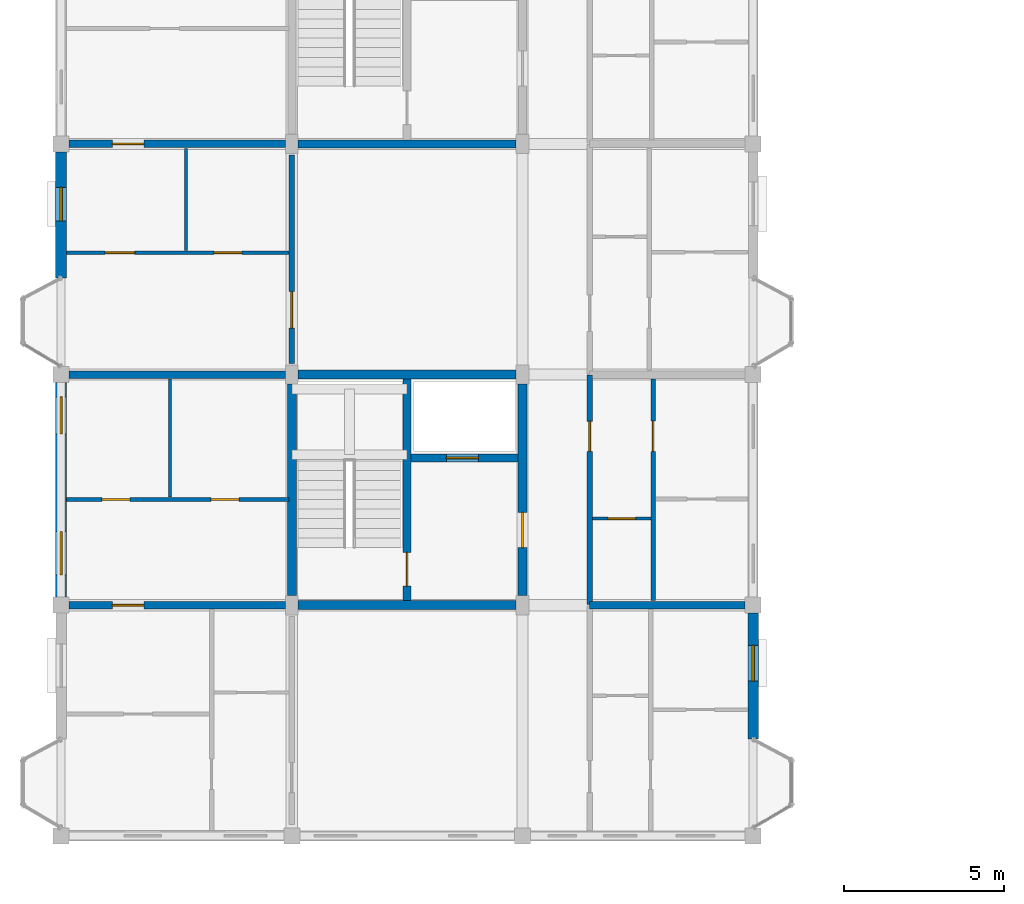
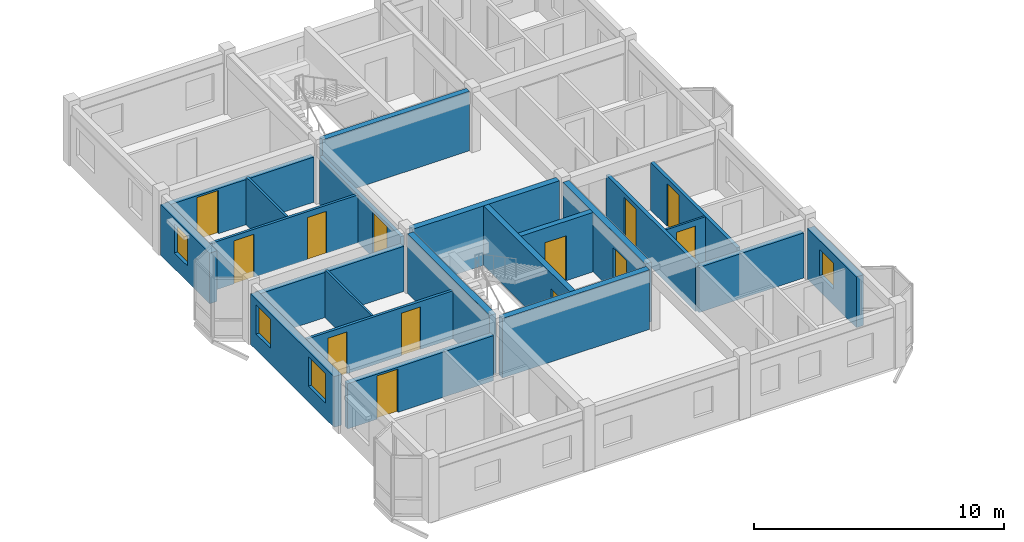
# One storey, part 51 of 70: 22 walls, 13 doors, 4 windows, 17 openings.
"""IFC4 building model written with IfcOpenShell, lengths in metres."""

from ifc_helpers import new_model, si_unit, direction, frame, frame_2d, origin, place, context, subcontext, project, spatial, rectangle, extrude, material, layer, layer_set, type_object, element, fill, save


model = new_model("IFC4")

# Units and contexts
model_context = context("Model", 3, precision=1e-05, world=origin(), true_north=direction((0.0, 1.0)))
body_context = subcontext(model_context, "Body", "Model", "MODEL_VIEW")
ifc_project = project(units=[si_unit("LENGTHUNIT", "METRE"), si_unit("AREAUNIT", "SQUARE_METRE"), si_unit("VOLUMEUNIT", "CUBIC_METRE"), si_unit("PLANEANGLEUNIT", "RADIAN"), si_unit("MASSUNIT", "GRAM", prefix="KILO"), si_unit("THERMODYNAMICTEMPERATUREUNIT", "KELVIN"), si_unit("POWERUNIT", "WATT")], contexts=[model_context])

# Site, building, storey
site_placement = place(None, origin())
site = spatial("IfcSite", under=ifc_project, at=site_placement, CompositionType="ELEMENT")
building_placement = place(site_placement, origin())
building = spatial("IfcBuilding", under=site, at=building_placement, Name="Tavuni Mirador Residences", CompositionType="ELEMENT")
storey_placement = place(building_placement, frame((0.0, 0.0, 23.39990234375)))
storey = spatial("IfcBuildingStorey", under=building, at=storey_placement, Name="L07", CompositionType="ELEMENT", Elevation=23.39990234375)

# Wall, opening, door
ifc_material_1 = material(Name="Precast concrete C40/50", Category="concrete")
ifc_layer_1 = layer(ifc_material_1, 0.25, Name="Precast concrete C40/50", Category="concrete")
ifc_layer_set_1 = layer_set([ifc_layer_1], Name="Precast concrete C40/50")
wall_type_1 = type_object("IfcWallType", Name="WT-COR250", PredefinedType="SHEAR", material=ifc_layer_set_1)
wall_1_placement = place(storey_placement, frame((14.39990234375, 72.139892578125, 0.0), z_axis=(0.0, 0.0, 1.0), x_axis=(0.0, 1.0, 0.0)))
wall_1 = element("IfcWall", 1, at=wall_1_placement, inside=storey, type_object=wall_type_1, Name="CWALL-C3-L07-MID", PredefinedType="SHEAR", context=body_context, shape_type="SweptSolid", body=[
    extrude(rectangle(XDim=6.920166015625, YDim=0.25, at=frame_2d((3.4599609375, 0.0))), origin(), (0.0, 0.0, 1.0), 2.91015625),
])
opening_1_placement = place(wall_1_placement, frame((0.4599609375, 0.0, 0.0)))
opening_1 = element("IfcOpeningElement", 2, at=opening_1_placement, cuts=wall_1, Name="Opening D-01", PredefinedType="OPENING", context=body_context, shape_type="SweptSolid", body=[
    extrude(rectangle(XDim=1.050048828125, YDim=2.14990234375, at=frame_2d((0.52490234375, 1.074951171875))), frame((0.0, 0.135009765625, 0.0), z_axis=(0.0, -1.0, 0.0), x_axis=(1.0, 0.0, 0.0)), (0.0, 0.0, 1.0), 0.27001953125),
])
ifc_material_2 = material(Name="Solid core iroko timber", Category="wood")
door_type_1 = type_object("IfcDoorType", Name="DT-ST1050", OperationType="NOTDEFINED", PredefinedType="DOOR", material=ifc_material_2)
door_1_placement = place(opening_1_placement, origin())
door_1 = element("IfcDoor", 3, at=door_1_placement, inside=storey, type_object=door_type_1, Name="DR-2134", OperationType="SINGLE_SWING_RIGHT", OverallHeight=2.14990234375, OverallWidth=1.050048828125, PredefinedType="DOOR", context=body_context, shape_type="SweptSolid", body=[
    extrude(rectangle(XDim=1.050048828125, YDim=2.14990234375, at=frame_2d((0.52490234375, 1.074951171875))), frame((0.0, 0.02490234375, 0.0), z_axis=(0.0, -1.0, 0.0), x_axis=(1.0, 0.0, 0.0)), (0.0, 0.0, 1.0), 0.050048828125),
])
fill(opening_1, door_1)

wall_2_placement = place(storey_placement, frame((14.52490234375, 76.60009765625, 0.0), z_axis=(0.0, 0.0, 1.0), x_axis=(1.0, 0.0, 0.0)))
wall_2 = element("IfcWall", 4, at=wall_2_placement, inside=storey, type_object=wall_type_1, Name="CWALL-C3-L07-SHF", PredefinedType="SHEAR", context=body_context, shape_type="SweptSolid", body=[
    extrude(rectangle(XDim=3.335205078125, YDim=0.25, at=frame_2d((1.66748046875, 0.0))), origin(), (0.0, 0.0, 1.0), 2.91015625),
])
opening_2_placement = place(wall_2_placement, frame((1.10009765625, 0.0, 0.0)))
opening_2 = element("IfcOpeningElement", 5, at=opening_2_placement, cuts=wall_2, Name="Opening LD-02", PredefinedType="OPENING", context=body_context, shape_type="SweptSolid", body=[
    extrude(rectangle(XDim=1.0, YDim=2.199951171875, at=frame_2d((0.5, 1.10009765625))), frame((0.0, 0.135009765625, 0.0), z_axis=(0.0, -1.0, 0.0), x_axis=(1.0, 0.0, 0.0)), (0.0, 0.0, 1.0), 0.27001953125),
])
ifc_material_3 = material(Name="Structural steel S355", Category="steel")
door_type_2 = type_object("IfcDoorType", Name="DT-LD-PAX", OperationType="SLIDING_TO_LEFT", PredefinedType="DOOR", material=ifc_material_3)
door_2_placement = place(opening_2_placement, origin())
door_2 = element("IfcDoor", 6, at=door_2_placement, inside=storey, type_object=door_type_2, Name="Lift landing door PL-B1 L07", OperationType="SLIDING_TO_LEFT", OverallHeight=2.199951171875, OverallWidth=1.0, PredefinedType="DOOR", context=body_context, shape_type="SweptSolid", body=[
    extrude(rectangle(XDim=1.0, YDim=2.199951171875, at=frame_2d((0.5, 1.10009765625))), frame((0.0, 0.02490234375, 0.0), z_axis=(0.0, -1.0, 0.0), x_axis=(1.0, 0.0, 0.0)), (0.0, 0.0, 1.0), 0.050048828125),
])
fill(opening_2, door_2)

# Walls
wall_3_placement = place(storey_placement, frame((11.0, 86.39990234375, 0.0), z_axis=(0.0, 0.0, 1.0), x_axis=(1.0, 0.0, 0.0)))
element("IfcWall", 7, at=wall_3_placement, inside=storey, type_object=wall_type_1, Name="CWALL-C4-L07-SS", PredefinedType="SHEAR", context=body_context, shape_type="SweptSolid", body=[
    extrude(rectangle(XDim=6.800048828125, YDim=0.25, at=frame_2d((3.39990234375, 0.0))), origin(), (0.0, 0.0, 1.0), 2.91015625),
])
ifc_layer_2 = layer(ifc_material_1, 0.280029296875, Name="Precast concrete C40/50", Category="concrete")
ifc_layer_set_2 = layer_set([ifc_layer_2], Name="Precast concrete C40/50")
wall_type_2 = type_object("IfcWallType", Name="WT-COR280", PredefinedType="SHEAR", material=ifc_layer_set_2)
wall_4_placement = place(storey_placement, frame((10.800048828125, 72.300048828125, 0.0), z_axis=(0.0, 0.0, 1.0), x_axis=(0.0, 1.0, 0.0)))
element("IfcWall", 8, at=wall_4_placement, inside=storey, type_object=wall_type_2, Name="CWALL-C3-L07-W", PredefinedType="SHEAR", context=body_context, shape_type="SweptSolid", body=[
    extrude(rectangle(XDim=6.599853515625, YDim=0.280029296875, at=frame_2d((3.2998046875, 0.0))), origin(), (0.0, 0.0, 1.0), 2.91015625),
])
wall_5_placement = place(storey_placement, frame((11.0, 79.199951171875, 0.0), z_axis=(0.0, 0.0, 1.0), x_axis=(1.0, 0.0, 0.0)))
element("IfcWall", 9, at=wall_5_placement, inside=storey, type_object=wall_type_2, Name="CWALL-C3-L07-N", PredefinedType="SHEAR", context=body_context, shape_type="SweptSolid", body=[
    extrude(rectangle(XDim=6.800048828125, YDim=0.280029296875, at=frame_2d((3.39990234375, 0.0))), origin(), (0.0, 0.0, 1.0), 2.91015625),
])

# Wall, opening, door
wall_6_placement = place(storey_placement, frame((18.0, 72.300048828125, 0.0), z_axis=(0.0, 0.0, 1.0), x_axis=(0.0, 1.0, 0.0)))
wall_6 = element("IfcWall", 10, at=wall_6_placement, inside=storey, type_object=wall_type_2, Name="CWALL-C3-L07-E", PredefinedType="SHEAR", context=body_context, shape_type="SweptSolid", body=[
    extrude(rectangle(XDim=6.599853515625, YDim=0.280029296875, at=frame_2d((3.2998046875, 0.0))), origin(), (0.0, 0.0, 1.0), 2.91015625),
])
opening_3_placement = place(wall_6_placement, frame((1.5, 0.0, 0.0)))
opening_3 = element("IfcOpeningElement", 11, at=opening_3_placement, cuts=wall_6, Name="Opening D-02", PredefinedType="OPENING", context=body_context, shape_type="SweptSolid", body=[
    extrude(rectangle(XDim=1.10009765625, YDim=2.14990234375, at=frame_2d((0.550048828125, 1.074951171875))), frame((0.0, 0.14990234375, 0.0), z_axis=(0.0, -1.0, 0.0), x_axis=(1.0, 0.0, 0.0)), (0.0, 0.0, 1.0), 0.300048828125),
])
door_type_3 = type_object("IfcDoorType", Name="DT-LOB1100", OperationType="NOTDEFINED", PredefinedType="DOOR", material=ifc_material_2)
door_3_placement = place(opening_3_placement, frame((1.10009765625, 0.0, 0.0), z_axis=(0.0, 0.0, 1.0), x_axis=(-1.0, 0.0, 0.0)))
door_3 = element("IfcDoor", 12, at=door_3_placement, inside=storey, type_object=door_type_3, Name="DR-2133", OperationType="SINGLE_SWING_RIGHT", OverallHeight=2.14990234375, OverallWidth=1.10009765625, PredefinedType="DOOR", context=body_context, shape_type="SweptSolid", body=[
    extrude(rectangle(XDim=1.10009765625, YDim=2.14990234375, at=frame_2d((0.550048828125, 1.074951171875))), frame((0.0, 0.02490234375, 0.0), z_axis=(0.0, -1.0, 0.0), x_axis=(1.0, 0.0, 0.0)), (0.0, 0.0, 1.0), 0.050048828125),
])
fill(opening_3, door_3)

# Wall
wall_7_placement = place(storey_placement, frame((11.0, 72.0, 0.0), z_axis=(0.0, 0.0, 1.0), x_axis=(1.0, 0.0, 0.0)))
element("IfcWall", 13, at=wall_7_placement, inside=storey, type_object=wall_type_2, Name="CWALL-C3-L07-SS", PredefinedType="SHEAR", context=body_context, shape_type="SweptSolid", body=[
    extrude(rectangle(XDim=6.800048828125, YDim=0.280029296875, at=frame_2d((3.39990234375, 0.0))), origin(), (0.0, 0.0, 1.0), 2.91015625),
])

# Wall, opening, door
ifc_layer_3 = layer(ifc_material_1, 0.1650390625, Name="Precast concrete C40/50", Category="concrete")
ifc_layer_set_3 = layer_set([ifc_layer_3], Name="Precast concrete C40/50")
wall_type_3 = type_object("IfcWallType", Name="WT-CORR165", PredefinedType="PARTITIONING", material=ifc_layer_set_3)
wall_8_placement = place(storey_placement, frame((20.10009765625, 72.02001953125, 0.0), z_axis=(0.0, 0.0, 1.0), x_axis=(0.0, 1.0, 0.0)))
wall_8 = element("IfcWall", 14, at=wall_8_placement, inside=storey, type_object=wall_type_3, Name="CORW-BLK-B-L07-0-01", PredefinedType="PARTITIONING", context=body_context, shape_type="SweptSolid", body=[
    extrude(rectangle(XDim=7.159912109375, YDim=0.1650390625, at=frame_2d((3.580078125, 0.0))), origin(), (0.0, 0.0, 1.0), 2.34521484375),
])
opening_4_placement = place(wall_8_placement, frame((4.780029296875, 0.0, 0.0)))
opening_4 = element("IfcOpeningElement", 15, at=opening_4_placement, cuts=wall_8, Name="Opening D-19", PredefinedType="OPENING", context=body_context, shape_type="SweptSolid", body=[
    extrude(rectangle(XDim=0.93994140625, YDim=2.1201171875, at=frame_2d((0.469970703125, 1.06005859375))), frame((0.0, 0.092529296875, 0.0), z_axis=(0.0, -1.0, 0.0), x_axis=(1.0, 0.0, 0.0)), (0.0, 0.0, 1.0), 0.18505859375),
])
door_type_4 = type_object("IfcDoorType", Name="DT-FD60-940", OperationType="NOTDEFINED", PredefinedType="DOOR", material=ifc_material_2)
door_4_placement = place(opening_4_placement, origin())
door_4 = element("IfcDoor", 16, at=door_4_placement, inside=storey, type_object=door_type_4, Name="DR-2584", OperationType="SINGLE_SWING_LEFT", OverallHeight=2.1201171875, OverallWidth=0.93994140625, PredefinedType="DOOR", context=body_context, shape_type="SweptSolid", body=[
    extrude(rectangle(XDim=0.93994140625, YDim=2.1201171875, at=frame_2d((0.469970703125, 1.06005859375))), frame((0.0, 0.02490234375, 0.0), z_axis=(0.0, -1.0, 0.0), x_axis=(1.0, 0.0, 0.0)), (0.0, 0.0, 1.0), 0.050048828125),
])
fill(opening_4, door_4)

wall_9_placement = place(storey_placement, frame((10.800048828125, 79.550048828125, 0.0), z_axis=(0.0, 0.0, 1.0), x_axis=(0.0, 1.0, 0.0)))
wall_9 = element("IfcWall", 17, at=wall_9_placement, inside=storey, type_object=wall_type_3, Name="CORW-BLK-B-L07-1-02", PredefinedType="PARTITIONING", context=body_context, shape_type="SweptSolid", body=[
    extrude(rectangle(XDim=6.5, YDim=0.1650390625, at=frame_2d((3.25, 0.0))), origin(), (0.0, 0.0, 1.0), 2.34521484375),
])
opening_5_placement = place(wall_9_placement, frame((1.10009765625, 0.0, 0.0)))
opening_5 = element("IfcOpeningElement", 18, at=opening_5_placement, cuts=wall_9, Name="Opening D-20", PredefinedType="OPENING", context=body_context, shape_type="SweptSolid", body=[
    extrude(rectangle(XDim=1.139892578125, YDim=2.179931640625, at=frame_2d((0.56982421875, 1.08984375))), frame((0.0, 0.092529296875, 0.0), z_axis=(0.0, -1.0, 0.0), x_axis=(1.0, 0.0, 0.0)), (0.0, 0.0, 1.0), 0.18505859375),
])
door_type_5 = type_object("IfcDoorType", Name="DT-FD60-1140", OperationType="NOTDEFINED", PredefinedType="DOOR", material=ifc_material_2)
door_5_placement = place(opening_5_placement, origin())
door_5 = element("IfcDoor", 19, at=door_5_placement, inside=storey, type_object=door_type_5, Name="DR-2588", OperationType="SINGLE_SWING_LEFT", OverallHeight=2.179931640625, OverallWidth=1.139892578125, PredefinedType="DOOR", context=body_context, shape_type="SweptSolid", body=[
    extrude(rectangle(XDim=1.139892578125, YDim=2.179931640625, at=frame_2d((0.56982421875, 1.08984375))), frame((0.0, 0.02490234375, 0.0), z_axis=(0.0, -1.0, 0.0), x_axis=(1.0, 0.0, 0.0)), (0.0, 0.0, 1.0), 0.050048828125),
])
fill(opening_5, door_5)

# Wall, opening, window
ifc_layer_4 = layer(ifc_material_1, 0.330078125, Name="Precast concrete C40/50", Category="concrete")
ifc_layer_set_4 = layer_set([ifc_layer_4], Name="Precast concrete C40/50")
wall_type_4 = type_object("IfcWallType", Name="WT-EXT-COR330", PredefinedType="SOLIDWALL", material=ifc_layer_set_4)
wall_10_placement = place(storey_placement, frame((25.199951171875, 67.820068359375, 0.0), z_axis=(0.0, 0.0, 1.0), x_axis=(0.0, 1.0, 0.0)))
wall_10 = element("IfcWall", 20, at=wall_10_placement, inside=storey, type_object=wall_type_4, Name="EW-BLK-B-L07-E00", PredefinedType="SOLIDWALL", context=body_context, shape_type="SweptSolid", body=[
    extrude(rectangle(XDim=3.929931640625, YDim=0.330078125, at=frame_2d((1.96484375, 0.0))), origin(), (0.0, 0.0, 1.0), 2.47998046875),
])
opening_6_placement = place(wall_10_placement, frame((1.81005859375, 0.0, 0.780029296875)))
opening_6 = element("IfcOpeningElement", 21, at=opening_6_placement, cuts=wall_10, Name="Opening WN-12", PredefinedType="OPENING", context=body_context, shape_type="SweptSolid", body=[
    extrude(rectangle(XDim=1.1201171875, YDim=1.260009765625, at=frame_2d((0.56005859375, 0.6298828125))), frame((0.0, 0.175048828125, 0.0), z_axis=(0.0, -1.0, 0.0), x_axis=(1.0, 0.0, 0.0)), (0.0, 0.0, 1.0), 0.35009765625),
])
ifc_material_4 = material(Name="Laminated solar-control glass", Category="glass")
window_type_1 = type_object("IfcWindowType", Name="WNT-12", PartitioningType="SINGLE_PANEL", PredefinedType="WINDOW", material=ifc_material_4)
window_1_placement = place(opening_6_placement, origin())
window_1 = element("IfcWindow", 22, at=window_1_placement, inside=storey, type_object=window_type_1, Name="WIN-0754", OverallHeight=1.260009765625, OverallWidth=1.1201171875, PartitioningType="SINGLE_PANEL", PredefinedType="WINDOW", context=body_context, shape_type="SweptSolid", body=[
    extrude(rectangle(XDim=1.1201171875, YDim=1.260009765625, at=frame_2d((0.56005859375, 0.6298828125))), frame((0.0, 0.030029296875, 0.0), z_axis=(0.0, -1.0, 0.0), x_axis=(1.0, 0.0, 0.0)), (0.0, 0.0, 1.0), 0.06005859375),
])
fill(opening_6, window_1)

ifc_material_5 = material(Name="Sgraffito lime-rendered precast concrete C40/50", Category="concrete")
ifc_layer_5 = layer(ifc_material_5, 0.344970703125, Name="Sgraffito lime-rendered precast concrete C40/50", Category="concrete")
ifc_layer_set_5 = layer_set([ifc_layer_5], Name="Sgraffito lime-rendered precast concrete C40/50")
wall_type_5 = type_object("IfcWallType", Name="WT-EXT-PTY345", PredefinedType="SOLIDWALL", material=ifc_layer_set_5)
wall_11_placement = place(storey_placement, frame((3.60009765625, 86.14990234375, 0.0), z_axis=(0.0, 0.0, 1.0), x_axis=(0.0, -1.0, 0.0)))
wall_11 = element("IfcWall", 23, at=wall_11_placement, inside=storey, type_object=wall_type_5, Name="EW-BLK-B-L07-W02", PredefinedType="SOLIDWALL", context=body_context, shape_type="SweptSolid", body=[
    extrude(rectangle(XDim=3.929931640625, YDim=0.344970703125, at=frame_2d((1.96484375, 0.0))), origin(), (0.0, 0.0, 1.0), 2.47998046875),
])
opening_7_placement = place(wall_11_placement, frame((1.10498046875, 0.0, 0.780029296875)))
opening_7 = element("IfcOpeningElement", 24, at=opening_7_placement, cuts=wall_11, Name="Opening WN-26", PredefinedType="OPENING", context=body_context, shape_type="SweptSolid", body=[
    extrude(rectangle(XDim=1.050048828125, YDim=1.43994140625, at=frame_2d((0.52490234375, 0.719970703125))), frame((0.0, 0.1826171875, 0.0), z_axis=(0.0, -1.0, 0.0), x_axis=(1.0, 0.0, 0.0)), (0.0, 0.0, 1.0), 0.364990234375),
])
window_type_2 = type_object("IfcWindowType", Name="WNT-26", PartitioningType="SINGLE_PANEL", PredefinedType="WINDOW", material=ifc_material_4)
window_2_placement = place(opening_7_placement, origin())
window_2 = element("IfcWindow", 25, at=window_2_placement, inside=storey, type_object=window_type_2, Name="WIN-0768", OverallHeight=1.43994140625, OverallWidth=1.050048828125, PartitioningType="SINGLE_PANEL", PredefinedType="WINDOW", context=body_context, shape_type="SweptSolid", body=[
    extrude(rectangle(XDim=1.050048828125, YDim=1.43994140625, at=frame_2d((0.52490234375, 0.719970703125))), frame((0.0, 0.030029296875, 0.0), z_axis=(0.0, -1.0, 0.0), x_axis=(1.0, 0.0, 0.0)), (0.0, 0.0, 1.0), 0.06005859375),
])
fill(opening_7, window_2)

# Wall, openings, windows
wall_12_placement = place(storey_placement, frame((3.60009765625, 78.949951171875, 0.0), z_axis=(0.0, 0.0, 1.0), x_axis=(0.0, -1.0, 0.0)))
wall_12 = element("IfcWall", 26, at=wall_12_placement, inside=storey, type_object=wall_type_5, Name="EW-BLK-B-L07-W01", PredefinedType="SOLIDWALL", context=body_context, shape_type="SweptSolid", body=[
    extrude(rectangle(XDim=6.699951171875, YDim=0.344970703125, at=frame_2d((3.35009765625, 0.0))), origin(), (0.0, 0.0, 1.0), 2.47998046875),
])
opening_8_placement = place(wall_12_placement, frame((0.449951171875, 0.0, 0.780029296875)))
opening_8 = element("IfcOpeningElement", 27, at=opening_8_placement, cuts=wall_12, Name="Opening WN-27", PredefinedType="OPENING", context=body_context, shape_type="SweptSolid", body=[
    extrude(rectangle(XDim=1.14990234375, YDim=1.43994140625, at=frame_2d((0.574951171875, 0.719970703125))), frame((0.0, 0.1826171875, 0.0), z_axis=(0.0, -1.0, 0.0), x_axis=(1.0, 0.0, 0.0)), (0.0, 0.0, 1.0), 0.364990234375),
])
opening_9_placement = place(wall_12_placement, frame((4.64990234375, 0.0, 0.780029296875)))
opening_9 = element("IfcOpeningElement", 28, at=opening_9_placement, cuts=wall_12, Name="Opening WN-29", PredefinedType="OPENING", context=body_context, shape_type="SweptSolid", body=[
    extrude(rectangle(XDim=1.35009765625, YDim=1.43994140625, at=frame_2d((0.675048828125, 0.719970703125))), frame((0.0, 0.1826171875, 0.0), z_axis=(0.0, -1.0, 0.0), x_axis=(1.0, 0.0, 0.0)), (0.0, 0.0, 1.0), 0.364990234375),
])
window_type_3 = type_object("IfcWindowType", Name="WNT-27", PartitioningType="SINGLE_PANEL", PredefinedType="WINDOW", material=ifc_material_4)
window_3_placement = place(opening_8_placement, origin())
window_3 = element("IfcWindow", 29, at=window_3_placement, inside=storey, type_object=window_type_3, Name="WIN-0769", OverallHeight=1.43994140625, OverallWidth=1.14990234375, PartitioningType="SINGLE_PANEL", PredefinedType="WINDOW", context=body_context, shape_type="SweptSolid", body=[
    extrude(rectangle(XDim=1.14990234375, YDim=1.43994140625, at=frame_2d((0.574951171875, 0.719970703125))), frame((0.0, 0.030029296875, 0.0), z_axis=(0.0, -1.0, 0.0), x_axis=(1.0, 0.0, 0.0)), (0.0, 0.0, 1.0), 0.06005859375),
])
fill(opening_8, window_3)
window_type_4 = type_object("IfcWindowType", Name="WNT-29", PartitioningType="SINGLE_PANEL", PredefinedType="WINDOW", material=ifc_material_4)
window_4_placement = place(opening_9_placement, origin())
window_4 = element("IfcWindow", 30, at=window_4_placement, inside=storey, type_object=window_type_4, Name="WIN-0770", OverallHeight=1.43994140625, OverallWidth=1.35009765625, PartitioningType="SINGLE_PANEL", PredefinedType="WINDOW", context=body_context, shape_type="SweptSolid", body=[
    extrude(rectangle(XDim=1.35009765625, YDim=1.43994140625, at=frame_2d((0.675048828125, 0.719970703125))), frame((0.0, 0.030029296875, 0.0), z_axis=(0.0, -1.0, 0.0), x_axis=(1.0, 0.0, 0.0)), (0.0, 0.0, 1.0), 0.06005859375),
])
fill(opening_9, window_4)

# Wall
ifc_material_6 = material(Name="Acoustic gypsum and concrete block partition", Category="concrete")
ifc_layer_6 = layer(ifc_material_6, 0.094970703125, Name="Acoustic gypsum and concrete block partition", Category="concrete")
ifc_layer_set_6 = layer_set([ifc_layer_6], Name="Acoustic gypsum and concrete block partition")
wall_type_6 = type_object("IfcWallType", Name="WT-PART095", PredefinedType="PARTITIONING", material=ifc_layer_set_6)
wall_13_placement = place(storey_placement, frame((7.0, 75.3701171875, 0.0), z_axis=(0.0, 0.0, 1.0), x_axis=(0.0, 1.0, 0.0)))
element("IfcWall", 31, at=wall_13_placement, inside=storey, type_object=wall_type_6, Name="PW-BLK-B-L07-PF01-V", PredefinedType="PARTITIONING", context=body_context, shape_type="SweptSolid", body=[
    extrude(rectangle(XDim=3.68994140625, YDim=0.094970703125, at=frame_2d((1.844970703125, 0.0))), origin(), (0.0, 0.0, 1.0), 2.34521484375),
])

# Wall, opening, door
wall_14_placement = place(storey_placement, frame((20.18994140625, 74.699951171875, 0.0), z_axis=(0.0, 0.0, 1.0), x_axis=(1.0, 0.0, 0.0)))
wall_14 = element("IfcWall", 32, at=wall_14_placement, inside=storey, type_object=wall_type_6, Name="PW-BLK-B-L07-E01-IN1", PredefinedType="PARTITIONING", context=body_context, shape_type="SweptSolid", body=[
    extrude(rectangle(XDim=1.820068359375, YDim=0.094970703125, at=frame_2d((0.91015625, 0.0))), origin(), (0.0, 0.0, 1.0), 2.34521484375),
])
opening_10_placement = place(wall_14_placement, frame((0.47509765625, 0.0, 0.0)))
opening_10 = element("IfcOpeningElement", 33, at=opening_10_placement, cuts=wall_14, Name="Opening D-10", PredefinedType="OPENING", context=body_context, shape_type="SweptSolid", body=[
    extrude(rectangle(XDim=0.8701171875, YDim=2.050048828125, at=frame_2d((0.43505859375, 1.02490234375))), frame((0.0, 0.0576171875, 0.0), z_axis=(0.0, -1.0, 0.0), x_axis=(1.0, 0.0, 0.0)), (0.0, 0.0, 1.0), 0.114990234375),
])
door_type_6 = type_object("IfcDoorType", Name="DT-WC870", OperationType="NOTDEFINED", PredefinedType="DOOR", material=ifc_material_2)
door_6_placement = place(opening_10_placement, origin())
door_6 = element("IfcDoor", 34, at=door_6_placement, inside=storey, type_object=door_type_6, Name="DR-3611", OperationType="SINGLE_SWING_RIGHT", OverallHeight=2.050048828125, OverallWidth=0.8701171875, PredefinedType="DOOR", context=body_context, shape_type="SweptSolid", body=[
    extrude(rectangle(XDim=0.8701171875, YDim=2.050048828125, at=frame_2d((0.43505859375, 1.02490234375))), frame((0.0, 0.02490234375, 0.0), z_axis=(0.0, -1.0, 0.0), x_axis=(1.0, 0.0, 0.0)), (0.0, 0.0, 1.0), 0.050048828125),
])
fill(opening_10, door_6)

# Wall
ifc_layer_7 = layer(ifc_material_6, 0.10498046875, Name="Acoustic gypsum and concrete block partition", Category="concrete")
ifc_layer_set_7 = layer_set([ifc_layer_7], Name="Acoustic gypsum and concrete block partition")
wall_type_7 = type_object("IfcWallType", Name="WT-PART105", PredefinedType="PARTITIONING", material=ifc_layer_set_7)
wall_15_placement = place(storey_placement, frame((7.5, 83.070068359375, 0.0), z_axis=(0.0, 0.0, 1.0), x_axis=(0.0, 1.0, 0.0)))
element("IfcWall", 35, at=wall_15_placement, inside=storey, type_object=wall_type_7, Name="PW-BLK-B-L07-PF02-V", PredefinedType="PARTITIONING", context=body_context, shape_type="SweptSolid", body=[
    extrude(rectangle(XDim=3.18994140625, YDim=0.10498046875, at=frame_2d((1.594970703125, 0.0))), origin(), (0.0, 0.0, 1.0), 2.34521484375),
])

# Wall, openings, doors
ifc_layer_8 = layer(ifc_material_6, 0.114990234375, Name="Acoustic gypsum and concrete block partition", Category="concrete")
ifc_layer_set_8 = layer_set([ifc_layer_8], Name="Acoustic gypsum and concrete block partition")
wall_type_8 = type_object("IfcWallType", Name="WT-PART115", PredefinedType="PARTITIONING", material=ifc_layer_set_8)
wall_16_placement = place(storey_placement, frame((3.77490234375, 83.0, 0.0), z_axis=(0.0, 0.0, 1.0), x_axis=(1.0, 0.0, 0.0)))
wall_16 = element("IfcWall", 36, at=wall_16_placement, inside=storey, type_object=wall_type_8, Name="PW-BLK-B-L07-PF02-H", PredefinedType="PARTITIONING", context=body_context, shape_type="SweptSolid", body=[
    extrude(rectangle(XDim=6.93505859375, YDim=0.114990234375, at=frame_2d((3.467529296875, 0.0))), origin(), (0.0, 0.0, 1.0), 2.34521484375),
])
opening_11_placement = place(wall_16_placement, frame((4.60009765625, 0.0, 0.0)))
opening_11 = element("IfcOpeningElement", 37, at=opening_11_placement, cuts=wall_16, Name="Opening D-10", PredefinedType="OPENING", context=body_context, shape_type="SweptSolid", body=[
    extrude(rectangle(XDim=0.8701171875, YDim=2.050048828125, at=frame_2d((0.43505859375, 1.02490234375))), frame((0.0, 0.0673828125, 0.0), z_axis=(0.0, -1.0, 0.0), x_axis=(1.0, 0.0, 0.0)), (0.0, 0.0, 1.0), 0.135009765625),
])
opening_12_placement = place(wall_16_placement, frame((1.199951171875, 0.0, 0.0)))
opening_12 = element("IfcOpeningElement", 38, at=opening_12_placement, cuts=wall_16, Name="Opening D-06", PredefinedType="OPENING", context=body_context, shape_type="SweptSolid", body=[
    extrude(rectangle(XDim=0.919921875, YDim=2.10009765625, at=frame_2d((0.4599609375, 1.050048828125))), frame((0.0, 0.0673828125, 0.0), z_axis=(0.0, -1.0, 0.0), x_axis=(1.0, 0.0, 0.0)), (0.0, 0.0, 1.0), 0.135009765625),
])
door_type_7 = type_object("IfcDoorType", Name="DT-INT920", OperationType="NOTDEFINED", PredefinedType="DOOR", material=ifc_material_2)
door_7_placement = place(opening_12_placement, origin())
door_7 = element("IfcDoor", 39, at=door_7_placement, inside=storey, type_object=door_type_7, Name="DR-3614", OperationType="SINGLE_SWING_RIGHT", OverallHeight=2.10009765625, OverallWidth=0.919921875, PredefinedType="DOOR", context=body_context, shape_type="SweptSolid", body=[
    extrude(rectangle(XDim=0.919921875, YDim=2.10009765625, at=frame_2d((0.4599609375, 1.050048828125))), frame((0.0, 0.02490234375, 0.0), z_axis=(0.0, -1.0, 0.0), x_axis=(1.0, 0.0, 0.0)), (0.0, 0.0, 1.0), 0.050048828125),
])
fill(opening_12, door_7)
door_8_placement = place(opening_11_placement, origin())
door_8 = element("IfcDoor", 40, at=door_8_placement, inside=storey, type_object=door_type_6, Name="DR-3613", OperationType="SINGLE_SWING_LEFT", OverallHeight=2.050048828125, OverallWidth=0.8701171875, PredefinedType="DOOR", context=body_context, shape_type="SweptSolid", body=[
    extrude(rectangle(XDim=0.8701171875, YDim=2.050048828125, at=frame_2d((0.43505859375, 1.02490234375))), frame((0.0, 0.02490234375, 0.0), z_axis=(0.0, -1.0, 0.0), x_axis=(1.0, 0.0, 0.0)), (0.0, 0.0, 1.0), 0.050048828125),
])
fill(opening_11, door_8)

ifc_layer_9 = layer(ifc_material_6, 0.125, Name="Acoustic gypsum and concrete block partition", Category="concrete")
ifc_layer_set_9 = layer_set([ifc_layer_9], Name="Acoustic gypsum and concrete block partition")
wall_type_9 = type_object("IfcWallType", Name="WT-PART125", PredefinedType="PARTITIONING", material=ifc_layer_set_9)
wall_17_placement = place(storey_placement, frame((3.77490234375, 75.300048828125, 0.0), z_axis=(0.0, 0.0, 1.0), x_axis=(1.0, 0.0, 0.0)))
wall_17 = element("IfcWall", 41, at=wall_17_placement, inside=storey, type_object=wall_type_9, Name="PW-BLK-B-L07-PF01-H", PredefinedType="PARTITIONING", context=body_context, shape_type="SweptSolid", body=[
    extrude(rectangle(XDim=6.93505859375, YDim=0.125, at=frame_2d((3.467529296875, 0.0))), origin(), (0.0, 0.0, 1.0), 2.34521484375),
])
opening_13_placement = place(wall_17_placement, frame((1.10009765625, 0.0, 0.0)))
opening_13 = element("IfcOpeningElement", 42, at=opening_13_placement, cuts=wall_17, Name="Opening D-10", PredefinedType="OPENING", context=body_context, shape_type="SweptSolid", body=[
    extrude(rectangle(XDim=0.8701171875, YDim=2.050048828125, at=frame_2d((0.43505859375, 1.02490234375))), frame((0.0, 0.072509765625, 0.0), z_axis=(0.0, -1.0, 0.0), x_axis=(1.0, 0.0, 0.0)), (0.0, 0.0, 1.0), 0.14501953125),
])
opening_14_placement = place(wall_17_placement, frame((4.5, 0.0, 0.0)))
opening_14 = element("IfcOpeningElement", 43, at=opening_14_placement, cuts=wall_17, Name="Opening D-08", PredefinedType="OPENING", context=body_context, shape_type="SweptSolid", body=[
    extrude(rectangle(XDim=0.8798828125, YDim=2.080078125, at=frame_2d((0.43994140625, 1.0400390625))), frame((0.0, 0.072509765625, 0.0), z_axis=(0.0, -1.0, 0.0), x_axis=(1.0, 0.0, 0.0)), (0.0, 0.0, 1.0), 0.14501953125),
])
door_type_8 = type_object("IfcDoorType", Name="DT-BED880", OperationType="NOTDEFINED", PredefinedType="DOOR", material=ifc_material_2)
door_9_placement = place(opening_14_placement, origin())
door_9 = element("IfcDoor", 44, at=door_9_placement, inside=storey, type_object=door_type_8, Name="DR-3609", OperationType="SINGLE_SWING_RIGHT", OverallHeight=2.080078125, OverallWidth=0.8798828125, PredefinedType="DOOR", context=body_context, shape_type="SweptSolid", body=[
    extrude(rectangle(XDim=0.8798828125, YDim=2.080078125, at=frame_2d((0.43994140625, 1.0400390625))), frame((0.0, 0.02490234375, 0.0), z_axis=(0.0, -1.0, 0.0), x_axis=(1.0, 0.0, 0.0)), (0.0, 0.0, 1.0), 0.050048828125),
])
fill(opening_14, door_9)
door_10_placement = place(opening_13_placement, origin())
door_10 = element("IfcDoor", 45, at=door_10_placement, inside=storey, type_object=door_type_6, Name="DR-3608", OperationType="SINGLE_SWING_LEFT", OverallHeight=2.050048828125, OverallWidth=0.8701171875, PredefinedType="DOOR", context=body_context, shape_type="SweptSolid", body=[
    extrude(rectangle(XDim=0.8701171875, YDim=2.050048828125, at=frame_2d((0.43505859375, 1.02490234375))), frame((0.0, 0.02490234375, 0.0), z_axis=(0.0, -1.0, 0.0), x_axis=(1.0, 0.0, 0.0)), (0.0, 0.0, 1.0), 0.050048828125),
])
fill(opening_13, door_10)

# Wall, opening, door
ifc_layer_10 = layer(ifc_material_6, 0.14990234375, Name="Acoustic gypsum and concrete block partition", Category="concrete")
ifc_layer_set_10 = layer_set([ifc_layer_10], Name="Acoustic gypsum and concrete block partition")
wall_type_10 = type_object("IfcWallType", Name="WT-PART150", PredefinedType="PARTITIONING", material=ifc_layer_set_10)
wall_18_placement = place(storey_placement, frame((22.080078125, 72.139892578125, 0.0), z_axis=(0.0, 0.0, 1.0), x_axis=(0.0, 1.0, 0.0)))
wall_18 = element("IfcWall", 46, at=wall_18_placement, inside=storey, type_object=wall_type_10, Name="PW-BLK-B-L07-E01-MID", PredefinedType="PARTITIONING", context=body_context, shape_type="SweptSolid", body=[
    extrude(rectangle(XDim=6.920166015625, YDim=0.14990234375, at=frame_2d((3.4599609375, 0.0))), origin(), (0.0, 0.0, 1.0), 2.34521484375),
])
opening_15_placement = place(wall_18_placement, frame((4.659912109375, 0.0, 0.0)))
opening_15 = element("IfcOpeningElement", 47, at=opening_15_placement, cuts=wall_18, Name="Opening D-05", PredefinedType="OPENING", context=body_context, shape_type="SweptSolid", body=[
    extrude(rectangle(XDim=0.949951171875, YDim=2.10009765625, at=frame_2d((0.47509765625, 1.050048828125))), frame((0.0, 0.0849609375, 0.0), z_axis=(0.0, -1.0, 0.0), x_axis=(1.0, 0.0, 0.0)), (0.0, 0.0, 1.0), 0.169921875),
])
door_type_9 = type_object("IfcDoorType", Name="DT-INT950", OperationType="NOTDEFINED", PredefinedType="DOOR", material=ifc_material_2)
door_11_placement = place(opening_15_placement, origin())
door_11 = element("IfcDoor", 48, at=door_11_placement, inside=storey, type_object=door_type_9, Name="DR-3612", OperationType="SINGLE_SWING_LEFT", OverallHeight=2.10009765625, OverallWidth=0.949951171875, PredefinedType="DOOR", context=body_context, shape_type="SweptSolid", body=[
    extrude(rectangle(XDim=0.949951171875, YDim=2.10009765625, at=frame_2d((0.47509765625, 1.050048828125))), frame((0.0, 0.02490234375, 0.0), z_axis=(0.0, -1.0, 0.0), x_axis=(1.0, 0.0, 0.0)), (0.0, 0.0, 1.0), 0.050048828125),
])
fill(opening_15, door_11)

ifc_layer_11 = layer(ifc_material_1, 0.235107421875, Name="Precast concrete C40/50", Category="concrete")
ifc_layer_set_11 = layer_set([ifc_layer_11], Name="Precast concrete C40/50")
wall_type_11 = type_object("IfcWallType", Name="WT-XW235", PredefinedType="SOLIDWALL", material=ifc_layer_set_11)
wall_19_placement = place(storey_placement, frame((3.85009765625, 72.0, 0.0), z_axis=(0.0, 0.0, 1.0), x_axis=(1.0, 0.0, 0.0)))
wall_19 = element("IfcWall", 49, at=wall_19_placement, inside=storey, type_object=wall_type_11, Name="XW-BLK-B-L07-W-01", PredefinedType="SOLIDWALL", context=body_context, shape_type="SweptSolid", body=[
    extrude(rectangle(XDim=6.75, YDim=0.235107421875, at=frame_2d((3.375, 0.0))), origin(), (0.0, 0.0, 1.0), 2.210205078125),
])
opening_16_placement = place(wall_19_placement, frame((1.35009765625, 0.0, 0.0)))
opening_16 = element("IfcOpeningElement", 50, at=opening_16_placement, cuts=wall_19, Name="Opening D-04", PredefinedType="OPENING", context=body_context, shape_type="SweptSolid", body=[
    extrude(rectangle(XDim=0.97998046875, YDim=2.1201171875, at=frame_2d((0.489990234375, 1.06005859375))), frame((0.0, 0.12744140625, 0.0), z_axis=(0.0, -1.0, 0.0), x_axis=(1.0, 0.0, 0.0)), (0.0, 0.0, 1.0), 0.255126953125),
])
door_type_10 = type_object("IfcDoorType", Name="DT-FD60-980", OperationType="NOTDEFINED", PredefinedType="DOOR", material=ifc_material_2)
door_12_placement = place(opening_16_placement, origin())
door_12 = element("IfcDoor", 51, at=door_12_placement, inside=storey, type_object=door_type_10, Name="DR-4722", OperationType="SINGLE_SWING_LEFT", OverallHeight=2.1201171875, OverallWidth=0.97998046875, PredefinedType="DOOR", context=body_context, shape_type="SweptSolid", body=[
    extrude(rectangle(XDim=0.97998046875, YDim=2.1201171875, at=frame_2d((0.489990234375, 1.06005859375))), frame((0.0, 0.02490234375, 0.0), z_axis=(0.0, -1.0, 0.0), x_axis=(1.0, 0.0, 0.0)), (0.0, 0.0, 1.0), 0.050048828125),
])
fill(opening_16, door_12)

# Walls
wall_20_placement = place(storey_placement, frame((20.10009765625, 72.0, 0.0), z_axis=(0.0, 0.0, 1.0), x_axis=(1.0, 0.0, 0.0)))
element("IfcWall", 52, at=wall_20_placement, inside=storey, type_object=wall_type_11, Name="XW-BLK-B-L07-E-01", PredefinedType="SOLIDWALL", context=body_context, shape_type="SweptSolid", body=[
    extrude(rectangle(XDim=4.849853515625, YDim=0.235107421875, at=frame_2d((2.4248046875, 0.0))), origin(), (0.0, 0.0, 1.0), 2.210205078125),
])
wall_21_placement = place(storey_placement, frame((3.85009765625, 79.199951171875, 0.0), z_axis=(0.0, 0.0, 1.0), x_axis=(1.0, 0.0, 0.0)))
element("IfcWall", 53, at=wall_21_placement, inside=storey, type_object=wall_type_11, Name="XW-BLK-B-L07-W-02", PredefinedType="SOLIDWALL", context=body_context, shape_type="SweptSolid", body=[
    extrude(rectangle(XDim=6.75, YDim=0.235107421875, at=frame_2d((3.375, 0.0))), origin(), (0.0, 0.0, 1.0), 2.210205078125),
])

# Wall, opening, door
wall_22_placement = place(storey_placement, frame((3.85009765625, 86.39990234375, 0.0), z_axis=(0.0, 0.0, 1.0), x_axis=(1.0, 0.0, 0.0)))
wall_22 = element("IfcWall", 54, at=wall_22_placement, inside=storey, type_object=wall_type_11, Name="XW-BLK-B-L07-W-03", PredefinedType="SOLIDWALL", context=body_context, shape_type="SweptSolid", body=[
    extrude(rectangle(XDim=6.75, YDim=0.235107421875, at=frame_2d((3.375, 0.0))), origin(), (0.0, 0.0, 1.0), 2.210205078125),
])
opening_17_placement = place(wall_22_placement, frame((1.35009765625, 0.0, 0.0)))
opening_17 = element("IfcOpeningElement", 55, at=opening_17_placement, cuts=wall_22, Name="Opening D-04", PredefinedType="OPENING", context=body_context, shape_type="SweptSolid", body=[
    extrude(rectangle(XDim=0.97998046875, YDim=2.1201171875, at=frame_2d((0.489990234375, 1.06005859375))), frame((0.0, 0.12744140625, 0.0), z_axis=(0.0, -1.0, 0.0), x_axis=(1.0, 0.0, 0.0)), (0.0, 0.0, 1.0), 0.255126953125),
])
door_13_placement = place(opening_17_placement, origin())
door_13 = element("IfcDoor", 56, at=door_13_placement, inside=storey, type_object=door_type_10, Name="DR-4723", OperationType="SINGLE_SWING_RIGHT", OverallHeight=2.1201171875, OverallWidth=0.97998046875, PredefinedType="DOOR", context=body_context, shape_type="SweptSolid", body=[
    extrude(rectangle(XDim=0.97998046875, YDim=2.1201171875, at=frame_2d((0.489990234375, 1.06005859375))), frame((0.0, 0.02490234375, 0.0), z_axis=(0.0, -1.0, 0.0), x_axis=(1.0, 0.0, 0.0)), (0.0, 0.0, 1.0), 0.050048828125),
])
fill(opening_17, door_13)

save(model, "model.ifc")
